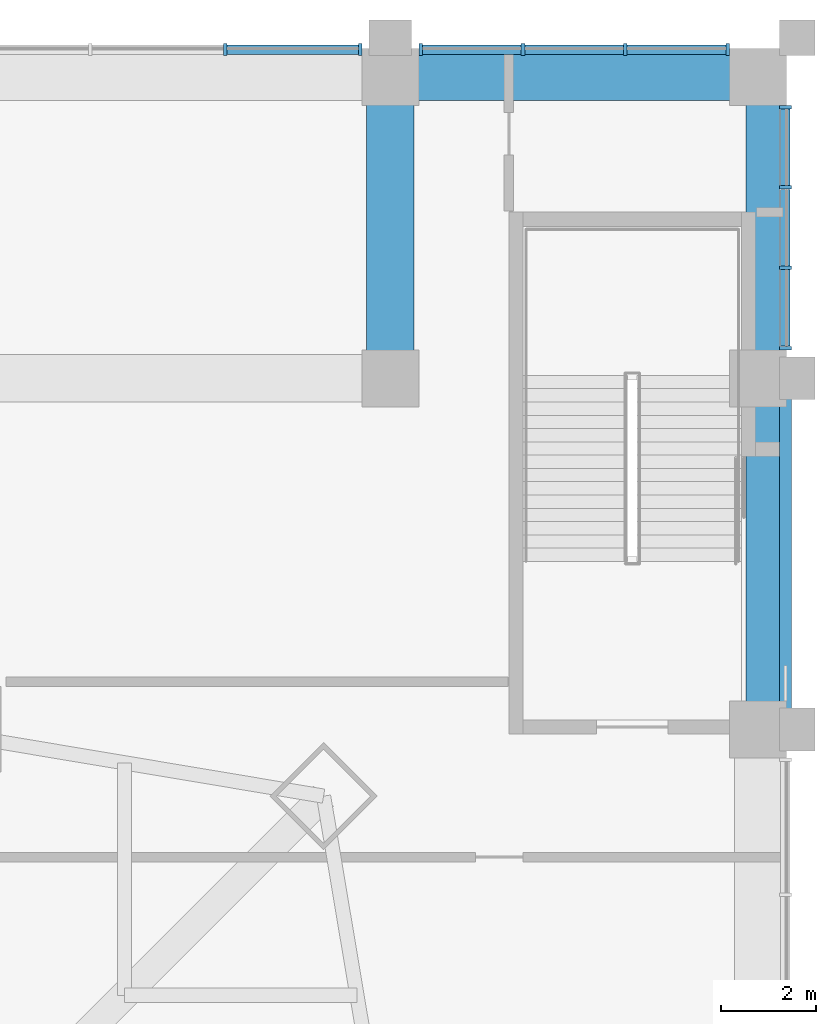
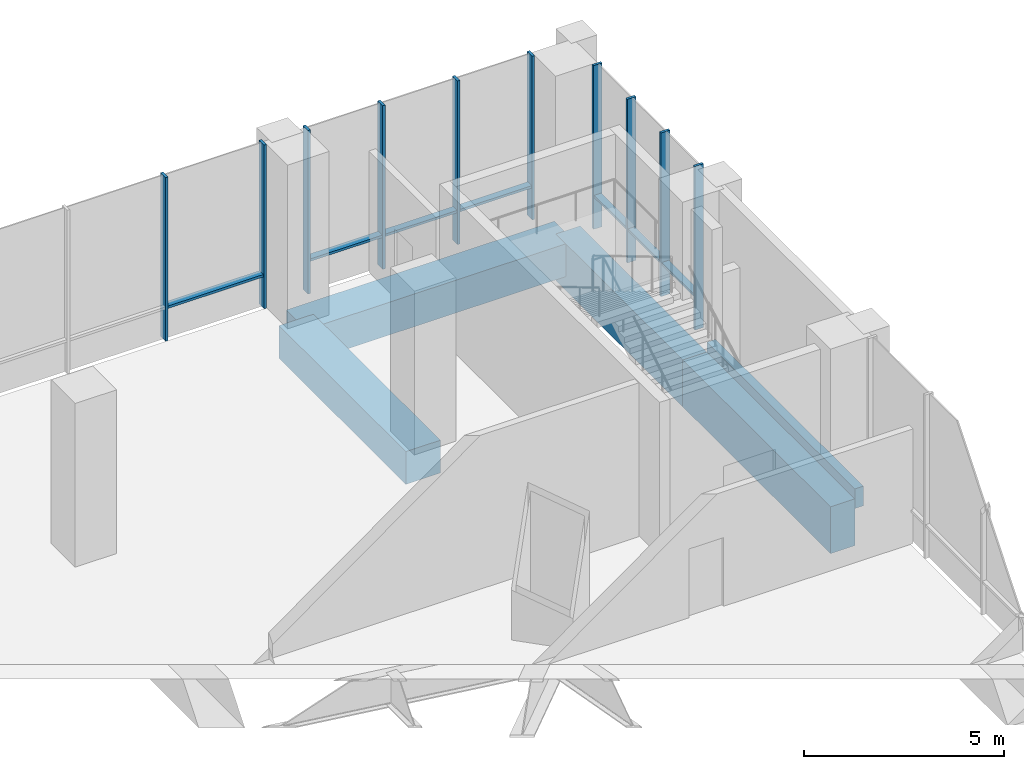
# One storey, part 12 of 24: 17 members, 5 beams, 3 elements without a shape of their own.
"""IFC4 building model written with IfcOpenShell, lengths in metres."""

from ifc_helpers import new_model, si_unit, direction, frame, origin, origin_2d, place, context, subcontext, project, spatial, rectangle, extrude, material, material_profile, profile_set, type_object, element, aggregate, save


model = new_model("IFC4")

# Units and contexts
model_context = context("Model", 3, precision=1e-05, world=origin(), true_north=direction((0.0, 1.0)))
body_context = subcontext(model_context, "Body", "Model", "MODEL_VIEW")
ifc_project = project(units=[si_unit("LENGTHUNIT", "METRE"), si_unit("AREAUNIT", "SQUARE_METRE"), si_unit("VOLUMEUNIT", "CUBIC_METRE"), si_unit("PLANEANGLEUNIT", "RADIAN"), si_unit("MASSUNIT", "GRAM", prefix="KILO")], contexts=[model_context])

# Site, building, storey
site_placement = place(None, origin())
site = spatial("IfcSite", under=ifc_project, at=site_placement, CompositionType="ELEMENT")
building_placement = place(site_placement, origin())
building = spatial("IfcBuilding", under=site, at=building_placement, Name="Khuree Lantern Residences", CompositionType="ELEMENT")
storey_placement = place(building_placement, frame((0.0, 0.0, 6.0)))
storey = spatial("IfcBuildingStorey", under=building, at=storey_placement, Name="L01", CompositionType="ELEMENT", Elevation=6.0)

# Curtain wall, members
ifc_material_1 = material(Name="Bronze anodised aluminium", Category="aluminium")
curtain_wall_type = type_object("IfcCurtainWallType", Name="CW-P PODIUM STOREFRONT CURTAIN WALL", PredefinedType="USERDEFINED", material=ifc_material_1)
curtain_wall_1_placement = place(storey_placement, origin())
curtain_wall_1 = element("IfcCurtainWall", 1, at=curtain_wall_1_placement, inside=storey, type_object=curtain_wall_type, Name="L01 EAST FACE BAY 8 STOREFRONT", ObjectType="Storefront curtain wall", PredefinedType="USERDEFINED")
ifc_material_profile_1 = material_profile(ifc_material_1, rectangle(XDim=0.074951171875, YDim=0.25, at=origin_2d()), Name="M5 75X250")
ifc_profile_set_1 = profile_set([ifc_material_profile_1], Name="Bronze anodised aluminium")
member_type_1 = type_object("IfcMemberType", Name="MULLION M5 STOREFRONT 75X250", PredefinedType="MULLION", material=ifc_profile_set_1)
member_1_placement = place(storey_placement, frame((38.125, 37.83740234375, 0.0), z_axis=(0.0, 0.0, 1.0), x_axis=(0.0, 1.0, 0.0)))
member_1 = element("IfcMember", 2, at=member_1_placement, type_object=member_type_1, Name="L01 EAST FACE BAY 8 MULLION 1", PredefinedType="MULLION", context=body_context, shape_type="SweptSolid", body=[
    extrude(rectangle(XDim=0.074951171875, YDim=0.25, at=origin_2d()), origin(), (0.0, 0.0, 1.0), 5.0),
])
member_2_placement = place(storey_placement, frame((38.125, 39.529052734375, 0.0), z_axis=(0.0, 0.0, 1.0), x_axis=(0.0, 1.0, 0.0)))
member_2 = element("IfcMember", 3, at=member_2_placement, type_object=member_type_1, Name="L01 EAST FACE BAY 8 MULLION 2", PredefinedType="MULLION", context=body_context, shape_type="SweptSolid", body=[
    extrude(rectangle(XDim=0.074951171875, YDim=0.25, at=origin_2d()), origin(), (0.0, 0.0, 1.0), 5.0),
])
member_3_placement = place(storey_placement, frame((38.125, 41.220947265625, 0.0), z_axis=(0.0, 0.0, 1.0), x_axis=(0.0, 1.0, 0.0)))
member_3 = element("IfcMember", 4, at=member_3_placement, type_object=member_type_1, Name="L01 EAST FACE BAY 8 MULLION 3", PredefinedType="MULLION", context=body_context, shape_type="SweptSolid", body=[
    extrude(rectangle(XDim=0.074951171875, YDim=0.25, at=origin_2d()), origin(), (0.0, 0.0, 1.0), 5.0),
])
member_4_placement = place(storey_placement, frame((38.125, 42.91259765625, 0.0), z_axis=(0.0, 0.0, 1.0), x_axis=(0.0, 1.0, 0.0)))
member_4 = element("IfcMember", 5, at=member_4_placement, type_object=member_type_1, Name="L01 EAST FACE BAY 8 MULLION 4", PredefinedType="MULLION", context=body_context, shape_type="SweptSolid", body=[
    extrude(rectangle(XDim=0.074951171875, YDim=0.25, at=origin_2d()), origin(), (0.0, 0.0, 1.0), 5.0),
])

curtain_wall_2_placement = place(storey_placement, origin())
curtain_wall_2 = element("IfcCurtainWall", 6, at=curtain_wall_2_placement, inside=storey, type_object=curtain_wall_type, Name="L01 NORTH FACE BAY 1 STOREFRONT", ObjectType="Storefront curtain wall", PredefinedType="USERDEFINED")
member_5_placement = place(storey_placement, frame((36.91259765625, 44.125, 0.0), z_axis=(0.0, 0.0, 1.0), x_axis=(-1.0, 0.0, 0.0)))
member_5 = element("IfcMember", 7, at=member_5_placement, type_object=member_type_1, Name="L01 NORTH FACE BAY 1 MULLION 1", PredefinedType="MULLION", context=body_context, shape_type="SweptSolid", body=[
    extrude(rectangle(XDim=0.074951171875, YDim=0.25, at=origin_2d()), origin(), (0.0, 0.0, 1.0), 5.0),
])
member_6_placement = place(storey_placement, frame((34.754150390625, 44.125, 0.0), z_axis=(0.0, 0.0, 1.0), x_axis=(-1.0, 0.0, 0.0)))
member_6 = element("IfcMember", 8, at=member_6_placement, type_object=member_type_1, Name="L01 NORTH FACE BAY 1 MULLION 2", PredefinedType="MULLION", context=body_context, shape_type="SweptSolid", body=[
    extrude(rectangle(XDim=0.074951171875, YDim=0.25, at=origin_2d()), origin(), (0.0, 0.0, 1.0), 5.0),
])
member_7_placement = place(storey_placement, frame((32.595947265625, 44.125, 0.0), z_axis=(0.0, 0.0, 1.0), x_axis=(-1.0, 0.0, 0.0)))
member_7 = element("IfcMember", 9, at=member_7_placement, type_object=member_type_1, Name="L01 NORTH FACE BAY 1 MULLION 3", PredefinedType="MULLION", context=body_context, shape_type="SweptSolid", body=[
    extrude(rectangle(XDim=0.074951171875, YDim=0.25, at=origin_2d()), origin(), (0.0, 0.0, 1.0), 5.0),
])
member_8_placement = place(storey_placement, frame((30.4375, 44.125, 0.0), z_axis=(0.0, 0.0, 1.0), x_axis=(-1.0, 0.0, 0.0)))
member_8 = element("IfcMember", 10, at=member_8_placement, type_object=member_type_1, Name="L01 NORTH FACE BAY 1 MULLION 4", PredefinedType="MULLION", context=body_context, shape_type="SweptSolid", body=[
    extrude(rectangle(XDim=0.074951171875, YDim=0.25, at=origin_2d()), origin(), (0.0, 0.0, 1.0), 5.0),
])

curtain_wall_3_placement = place(storey_placement, origin())
curtain_wall_3 = element("IfcCurtainWall", 11, at=curtain_wall_3_placement, inside=storey, type_object=curtain_wall_type, Name="L01 NORTH FACE BAY 2 STOREFRONT", ObjectType="Storefront curtain wall", PredefinedType="USERDEFINED")
member_9_placement = place(storey_placement, frame((29.16259765625, 44.125, 0.0), z_axis=(0.0, 0.0, 1.0), x_axis=(-1.0, 0.0, 0.0)))
member_9 = element("IfcMember", 12, at=member_9_placement, type_object=member_type_1, Name="L01 NORTH FACE BAY 2 MULLION 1", PredefinedType="MULLION", context=body_context, shape_type="SweptSolid", body=[
    extrude(rectangle(XDim=0.074951171875, YDim=0.25, at=origin_2d()), origin(), (0.0, 0.0, 1.0), 5.0),
])
member_10_placement = place(storey_placement, frame((26.32080078125, 44.125, 0.0), z_axis=(0.0, 0.0, 1.0), x_axis=(-1.0, 0.0, 0.0)))
member_10 = element("IfcMember", 13, at=member_10_placement, type_object=member_type_1, Name="L01 NORTH FACE BAY 2 MULLION 2", PredefinedType="MULLION", context=body_context, shape_type="SweptSolid", body=[
    extrude(rectangle(XDim=0.074951171875, YDim=0.25, at=origin_2d()), origin(), (0.0, 0.0, 1.0), 5.0),
])

# Beams
ifc_material_2 = material(Name="Concrete C40/50", Category="concrete")
ifc_material_profile_2 = material_profile(ifc_material_2, rectangle(XDim=0.25, YDim=0.60009765625, at=origin_2d()), Name="RC 250X600")
ifc_profile_set_2 = profile_set([ifc_material_profile_2], Name="Concrete C40/50")
beam_type_1 = type_object("IfcBeamType", Name="PODIUM EDGE BEAM EB1 RC 250X600", PredefinedType="BEAM", material=ifc_profile_set_2)
beam_1_placement = place(storey_placement, frame((38.125, 29.800048828125, -0.300048828125), z_axis=(0.0, 1.0, 0.0), x_axis=(-1.0, 0.0, 0.0)))
element("IfcBeam", 14, at=beam_1_placement, inside=storey, type_object=beam_type_1, Name="PODIUM EDGE BEAM E6", PredefinedType="BEAM", context=body_context, shape_type="SweptSolid", body=[
    extrude(rectangle(XDim=0.25, YDim=0.60009765625, at=origin_2d()), origin(), (0.0, 0.0, 1.0), 7.39990234375),
])
ifc_material_profile_3 = material_profile(ifc_material_2, rectangle(XDim=1.0, YDim=1.0, at=origin_2d()), Name="RC 1000X1000")
ifc_profile_set_3 = profile_set([ifc_material_profile_3], Name="Concrete C40/50")
beam_type_2 = type_object("IfcBeamType", Name="RB3 PODIUM BEAM RC 1000X1000", PredefinedType="BEAM", material=ifc_profile_set_3)
beam_2_placement = place(storey_placement, frame((29.800048828125, 43.550048828125, -0.800048828125), z_axis=(1.0, 0.0, 0.0), x_axis=(0.0, 1.0, 0.0)))
element("IfcBeam", 15, at=beam_2_placement, inside=storey, type_object=beam_type_2, Name="Podium beam RB-24", PredefinedType="BEAM", context=body_context, shape_type="SweptSolid", body=[
    extrude(rectangle(XDim=1.0, YDim=1.0, at=origin_2d()), origin(), (0.0, 0.0, 1.0), 7.75),
])
beam_3_placement = place(storey_placement, frame((29.800048828125, 37.199951171875, -0.800048828125), z_axis=(0.0, 1.0, 0.0), x_axis=(-1.0, 0.0, 0.0)))
element("IfcBeam", 16, at=beam_3_placement, inside=storey, type_object=beam_type_2, Name="Podium beam RB-44", PredefinedType="BEAM", context=body_context, shape_type="SweptSolid", body=[
    extrude(rectangle(XDim=1.0, YDim=1.0, at=origin_2d()), origin(), (0.0, 0.0, 1.0), 6.35009765625),
])
ifc_material_profile_4 = material_profile(ifc_material_2, rectangle(XDim=0.699951171875, YDim=1.429931640625, at=origin_2d()), Name="RC 700X1430")
ifc_profile_set_4 = profile_set([ifc_material_profile_4], Name="Concrete C40/50")
beam_type_3 = type_object("IfcBeamType", Name="RB7 PODIUM BEAM AT STAIR RC 700X1430", PredefinedType="BEAM", material=ifc_profile_set_4)
beam_4_placement = place(storey_placement, frame((37.64990234375, 29.800048828125, -1.014892578125), z_axis=(0.0, 1.0, 0.0), x_axis=(-1.0, 0.0, 0.0)))
element("IfcBeam", 17, at=beam_4_placement, inside=storey, type_object=beam_type_3, Name="Podium beam at stair RB-51", PredefinedType="BEAM", context=body_context, shape_type="SweptSolid", body=[
    extrude(rectangle(XDim=0.699951171875, YDim=1.429931640625, at=origin_2d()), origin(), (0.0, 0.0, 1.0), 7.39990234375),
])
beam_5_placement = place(storey_placement, frame((37.64990234375, 37.199951171875, -1.014892578125), z_axis=(0.0, 1.0, 0.0), x_axis=(-1.0, 0.0, 0.0)))
element("IfcBeam", 18, at=beam_5_placement, inside=storey, type_object=beam_type_3, Name="Podium beam at stair RB-52", PredefinedType="BEAM", context=body_context, shape_type="SweptSolid", body=[
    extrude(rectangle(XDim=0.699951171875, YDim=1.429931640625, at=origin_2d()), origin(), (0.0, 0.0, 1.0), 6.35009765625),
])

# Member
ifc_material_profile_5 = material_profile(ifc_material_1, rectangle(XDim=0.199951171875, YDim=0.074951171875, at=origin_2d()), Name="T5 200X75")
ifc_profile_set_5 = profile_set([ifc_material_profile_5], Name="Bronze anodised aluminium")
member_type_2 = type_object("IfcMemberType", Name="TRANSOM T5 STOREFRONT 200X75", PredefinedType="USERDEFINED", material=ifc_profile_set_5)
member_11_placement = place(storey_placement, frame((38.1201171875, 37.875, 1.0), z_axis=(0.0, 1.0, 0.0), x_axis=(-1.0, 0.0, 0.0)))
member_11 = element("IfcMember", 19, at=member_11_placement, type_object=member_type_2, Name="L01 EAST FACE BAY 8 TRANSOM 1", ObjectType="Transom", PredefinedType="USERDEFINED", context=body_context, shape_type="SweptSolid", body=[
    extrude(rectangle(XDim=0.199951171875, YDim=0.074951171875, at=origin_2d()), origin(), (0.0, 0.0, 1.0), 1.61669921875),
])

member_12_placement = place(storey_placement, frame((38.1201171875, 39.566650390625, 1.0), z_axis=(0.0, 1.0, 0.0), x_axis=(-1.0, 0.0, 0.0)))
member_12 = element("IfcMember", 20, at=member_12_placement, type_object=member_type_2, Name="L01 EAST FACE BAY 8 TRANSOM 2", ObjectType="Transom", PredefinedType="USERDEFINED", context=body_context, shape_type="SweptSolid", body=[
    extrude(rectangle(XDim=0.199951171875, YDim=0.074951171875, at=origin_2d()), origin(), (0.0, 0.0, 1.0), 1.61669921875),
])

member_13_placement = place(storey_placement, frame((38.1201171875, 41.25830078125, 1.0), z_axis=(0.0, 1.0, 0.0), x_axis=(-1.0, 0.0, 0.0)))
member_13 = element("IfcMember", 21, at=member_13_placement, type_object=member_type_2, Name="L01 EAST FACE BAY 8 TRANSOM 3", ObjectType="Transom", PredefinedType="USERDEFINED", context=body_context, shape_type="SweptSolid", body=[
    extrude(rectangle(XDim=0.199951171875, YDim=0.074951171875, at=origin_2d()), origin(), (0.0, 0.0, 1.0), 1.61669921875),
])

aggregate(curtain_wall_1, [member_1, member_2, member_3, member_4, member_11, member_12, member_13])

member_14_placement = place(storey_placement, frame((36.875, 44.1201171875, 1.0), z_axis=(-1.0, 0.0, 0.0), x_axis=(0.0, -1.0, 0.0)))
member_14 = element("IfcMember", 22, at=member_14_placement, type_object=member_type_2, Name="L01 NORTH FACE BAY 1 TRANSOM 1", ObjectType="Transom", PredefinedType="USERDEFINED", context=body_context, shape_type="SweptSolid", body=[
    extrude(rectangle(XDim=0.199951171875, YDim=0.074951171875, at=origin_2d()), origin(), (0.0, 0.0, 1.0), 2.083251953125),
])

member_15_placement = place(storey_placement, frame((34.716552734375, 44.1201171875, 1.0), z_axis=(-1.0, 0.0, 0.0), x_axis=(0.0, -1.0, 0.0)))
member_15 = element("IfcMember", 23, at=member_15_placement, type_object=member_type_2, Name="L01 NORTH FACE BAY 1 TRANSOM 2", ObjectType="Transom", PredefinedType="USERDEFINED", context=body_context, shape_type="SweptSolid", body=[
    extrude(rectangle(XDim=0.199951171875, YDim=0.074951171875, at=origin_2d()), origin(), (0.0, 0.0, 1.0), 2.083251953125),
])

member_16_placement = place(storey_placement, frame((32.558349609375, 44.1201171875, 1.0), z_axis=(-1.0, 0.0, 0.0), x_axis=(0.0, -1.0, 0.0)))
member_16 = element("IfcMember", 24, at=member_16_placement, type_object=member_type_2, Name="L01 NORTH FACE BAY 1 TRANSOM 3", ObjectType="Transom", PredefinedType="USERDEFINED", context=body_context, shape_type="SweptSolid", body=[
    extrude(rectangle(XDim=0.199951171875, YDim=0.074951171875, at=origin_2d()), origin(), (0.0, 0.0, 1.0), 2.083251953125),
])

aggregate(curtain_wall_2, [member_5, member_6, member_7, member_8, member_14, member_15, member_16])

member_17_placement = place(storey_placement, frame((29.125, 44.1201171875, 1.0), z_axis=(-1.0, 0.0, 0.0), x_axis=(0.0, -1.0, 0.0)))
member_17 = element("IfcMember", 25, at=member_17_placement, type_object=member_type_2, Name="L01 NORTH FACE BAY 2 TRANSOM 1", ObjectType="Transom", PredefinedType="USERDEFINED", context=body_context, shape_type="SweptSolid", body=[
    extrude(rectangle(XDim=0.199951171875, YDim=0.074951171875, at=origin_2d()), origin(), (0.0, 0.0, 1.0), 2.7666015625),
])

aggregate(curtain_wall_3, [member_9, member_10, member_17])

save(model, "model.ifc")
